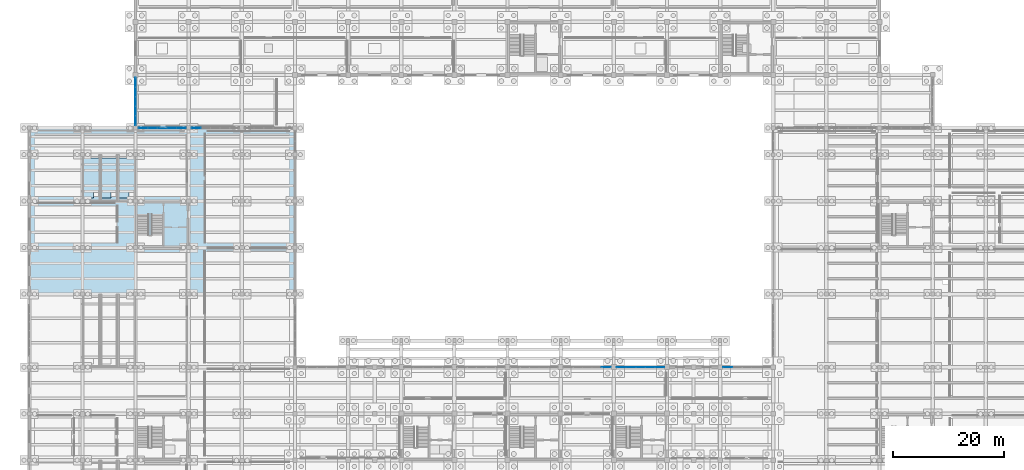
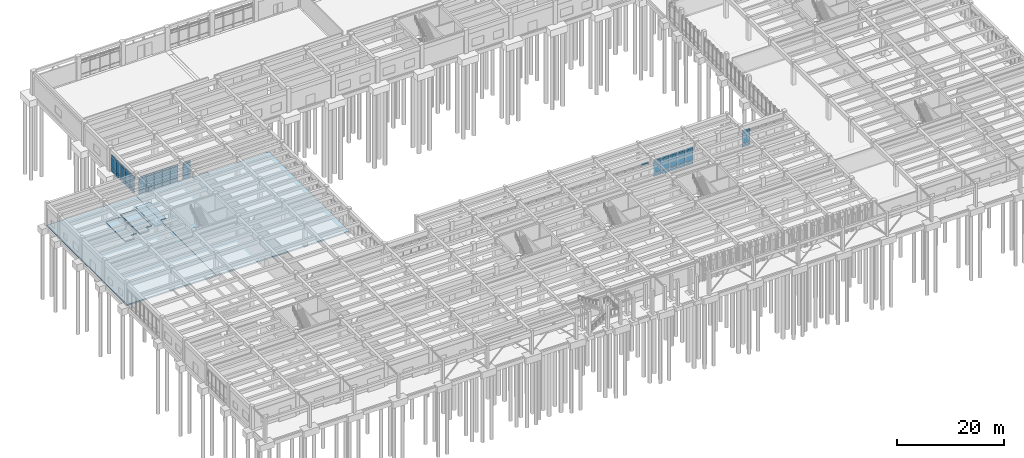
# One storey, part 59 of 102: 52 plates, 5 slabs, 6 elements without a shape of their own.
"""IFC4 building model written with IfcOpenShell, lengths in metres."""

from ifc_helpers import new_model, si_unit, direction, frame, origin, origin_2d, place, context, subcontext, project, spatial, polyline, rectangle, outline, extrude, material, layer, layer_set, type_object, element, aggregate, save


model = new_model("IFC4")

# Units and contexts
model_context = context("Model", 3, precision=1e-05, world=origin(), true_north=direction((0.0, 1.0)))
body_context = subcontext(model_context, "Body", "Model", "MODEL_VIEW")
ifc_project = project(units=[si_unit("LENGTHUNIT", "METRE"), si_unit("AREAUNIT", "SQUARE_METRE"), si_unit("VOLUMEUNIT", "CUBIC_METRE"), si_unit("PLANEANGLEUNIT", "RADIAN"), si_unit("MASSUNIT", "GRAM", prefix="KILO")], contexts=[model_context])

# Site, building, storey
site_placement = place(None, origin())
site = spatial("IfcSite", under=ifc_project, at=site_placement, CompositionType="ELEMENT")
building_placement = place(site_placement, origin())
building = spatial("IfcBuilding", under=site, at=building_placement, Name="Kolvemor Railside Polytechnic", CompositionType="ELEMENT")
storey_placement = place(building_placement, origin())
storey = spatial("IfcBuildingStorey", under=building, at=storey_placement, Name="L00", CompositionType="ELEMENT", Elevation=0.0)

# Curtain wall, plate
ifc_material_1 = material(Name="Anodised marine aluminium and laminated low-E glass", Category="aluminium")
ifc_layer_1 = layer(ifc_material_1, 0.179931640625, Name="CW-UNIT-STD")
ifc_layer_set_1 = layer_set([ifc_layer_1], Name="Anodised marine aluminium and laminated low-E glass")
curtain_wall_type = type_object("IfcCurtainWallType", Name="CW-UNIT-STD", PredefinedType="USERDEFINED", material=ifc_layer_set_1)
curtain_wall_1_placement = place(storey_placement, origin())
curtain_wall_1 = element("IfcCurtainWall", 1, at=curtain_wall_1_placement, inside=storey, type_object=curtain_wall_type, Name="Curtain Wall L00-110", ObjectType="UNITISED CURTAIN WALL", PredefinedType="USERDEFINED")
ifc_material_2 = material(Name="Hurricane-laminated solar-control low-E glass", Category="glass")
ifc_layer_2 = layer(ifc_material_2, 0.035888671875, Name="CWP-GLZ-08")
ifc_layer_set_2 = layer_set([ifc_layer_2], Name="Hurricane-laminated solar-control low-E glass")
plate_type_1 = type_object("IfcPlateType", Name="CWP-GLZ-08", PredefinedType="CURTAIN_PANEL", material=ifc_layer_set_2)
plate_1_placement = place(storey_placement, frame((104.247802734375, 38.39990234375, 3.5224609375), z_axis=(0.0, 0.0, 1.0), x_axis=(-1.0, 0.0, 0.0)))
plate_1 = element("IfcPlate", 2, at=plate_1_placement, type_object=plate_type_1, Name="CW-STD panel 1.3", PredefinedType="CURTAIN_PANEL", context=body_context, shape_type="SweptSolid", body=[
    extrude(rectangle(XDim=1.634521484375, YDim=0.035888671875, at=origin_2d()), origin(), (0.0, 0.0, 1.0), 0.452392578125),
])
aggregate(curtain_wall_1, [plate_1])

# Curtain wall, plates
curtain_wall_2_placement = place(storey_placement, origin())
curtain_wall_2 = element("IfcCurtainWall", 3, at=curtain_wall_2_placement, inside=storey, type_object=curtain_wall_type, Name="Curtain Wall L00-111", ObjectType="UNITISED CURTAIN WALL", PredefinedType="USERDEFINED")
ifc_material_3 = material(Name="Hurricane-laminated solar-control low-E glass", Category="glass")
ifc_layer_3 = layer(ifc_material_3, 0.0380859375, Name="CWP-GLZ-09")
ifc_layer_set_3 = layer_set([ifc_layer_3], Name="Hurricane-laminated solar-control low-E glass")
plate_type_2 = type_object("IfcPlateType", Name="CWP-GLZ-09", PredefinedType="CURTAIN_PANEL", material=ifc_layer_set_3)
plate_2_placement = place(storey_placement, frame((113.84765625, 38.39990234375, 0.06494140625), z_axis=(0.0, 0.0, 1.0), x_axis=(-1.0, 0.0, 0.0)))
plate_2 = element("IfcPlate", 4, at=plate_2_placement, type_object=plate_type_2, Name="CW-STD panel 1.1", PredefinedType="CURTAIN_PANEL", context=body_context, shape_type="SweptSolid", body=[
    extrude(rectangle(XDim=1.634521484375, YDim=0.0380859375, at=origin_2d()), origin(), (0.0, 0.0, 1.0), 0.802490234375),
])
plate_3_placement = place(storey_placement, frame((113.84765625, 38.39990234375, 0.9326171875), z_axis=(0.0, 0.0, 1.0), x_axis=(-1.0, 0.0, 0.0)))
plate_3 = element("IfcPlate", 5, at=plate_3_placement, type_object=plate_type_2, Name="CW-STD panel 1.2", PredefinedType="CURTAIN_PANEL", context=body_context, shape_type="SweptSolid", body=[
    extrude(rectangle(XDim=1.634521484375, YDim=0.0380859375, at=origin_2d()), origin(), (0.0, 0.0, 1.0), 2.52490234375),
])
plate_4_placement = place(storey_placement, frame((113.84765625, 38.39990234375, 3.5224609375), z_axis=(0.0, 0.0, 1.0), x_axis=(-1.0, 0.0, 0.0)))
plate_4 = element("IfcPlate", 6, at=plate_4_placement, type_object=plate_type_2, Name="CW-STD panel 1.3", PredefinedType="CURTAIN_PANEL", context=body_context, shape_type="SweptSolid", body=[
    extrude(rectangle(XDim=1.634521484375, YDim=0.0380859375, at=origin_2d()), origin(), (0.0, 0.0, 1.0), 0.452392578125),
])
plate_5_placement = place(storey_placement, frame((112.132080078125, 38.39990234375, 0.06494140625), z_axis=(0.0, 0.0, 1.0), x_axis=(-1.0, 0.0, 0.0)))
plate_5 = element("IfcPlate", 7, at=plate_5_placement, type_object=plate_type_2, Name="CW-STD panel 2.1", PredefinedType="CURTAIN_PANEL", context=body_context, shape_type="SweptSolid", body=[
    extrude(rectangle(XDim=1.6669921875, YDim=0.0380859375, at=origin_2d()), origin(), (0.0, 0.0, 1.0), 0.802490234375),
])
plate_6_placement = place(storey_placement, frame((112.132080078125, 38.39990234375, 0.9326171875), z_axis=(0.0, 0.0, 1.0), x_axis=(-1.0, 0.0, 0.0)))
plate_6 = element("IfcPlate", 8, at=plate_6_placement, type_object=plate_type_2, Name="CW-STD panel 2.2", PredefinedType="CURTAIN_PANEL", context=body_context, shape_type="SweptSolid", body=[
    extrude(rectangle(XDim=1.6669921875, YDim=0.0380859375, at=origin_2d()), origin(), (0.0, 0.0, 1.0), 2.52490234375),
])
plate_7_placement = place(storey_placement, frame((112.132080078125, 38.39990234375, 3.5224609375), z_axis=(0.0, 0.0, 1.0), x_axis=(-1.0, 0.0, 0.0)))
plate_7 = element("IfcPlate", 9, at=plate_7_placement, type_object=plate_type_2, Name="CW-STD panel 2.3", PredefinedType="CURTAIN_PANEL", context=body_context, shape_type="SweptSolid", body=[
    extrude(rectangle(XDim=1.6669921875, YDim=0.0380859375, at=origin_2d()), origin(), (0.0, 0.0, 1.0), 0.452392578125),
])
plate_8_placement = place(storey_placement, frame((110.39990234375, 38.39990234375, 0.06494140625), z_axis=(0.0, 0.0, 1.0), x_axis=(-1.0, 0.0, 0.0)))
plate_8 = element("IfcPlate", 10, at=plate_8_placement, type_object=plate_type_2, Name="CW-STD panel 3.1", PredefinedType="CURTAIN_PANEL", context=body_context, shape_type="SweptSolid", body=[
    extrude(rectangle(XDim=1.6669921875, YDim=0.0380859375, at=origin_2d()), origin(), (0.0, 0.0, 1.0), 0.802490234375),
])
plate_9_placement = place(storey_placement, frame((110.39990234375, 38.39990234375, 0.9326171875), z_axis=(0.0, 0.0, 1.0), x_axis=(-1.0, 0.0, 0.0)))
plate_9 = element("IfcPlate", 11, at=plate_9_placement, type_object=plate_type_2, Name="CW-STD panel 3.2", PredefinedType="CURTAIN_PANEL", context=body_context, shape_type="SweptSolid", body=[
    extrude(rectangle(XDim=1.6669921875, YDim=0.0380859375, at=origin_2d()), origin(), (0.0, 0.0, 1.0), 2.52490234375),
])
plate_10_placement = place(storey_placement, frame((110.39990234375, 38.39990234375, 3.5224609375), z_axis=(0.0, 0.0, 1.0), x_axis=(-1.0, 0.0, 0.0)))
plate_10 = element("IfcPlate", 12, at=plate_10_placement, type_object=plate_type_2, Name="CW-STD panel 3.3", PredefinedType="CURTAIN_PANEL", context=body_context, shape_type="SweptSolid", body=[
    extrude(rectangle(XDim=1.6669921875, YDim=0.0380859375, at=origin_2d()), origin(), (0.0, 0.0, 1.0), 0.452392578125),
])
plate_11_placement = place(storey_placement, frame((108.66796875, 38.39990234375, 0.06494140625), z_axis=(0.0, 0.0, 1.0), x_axis=(-1.0, 0.0, 0.0)))
plate_11 = element("IfcPlate", 13, at=plate_11_placement, type_object=plate_type_2, Name="CW-STD panel 4.1", PredefinedType="CURTAIN_PANEL", context=body_context, shape_type="SweptSolid", body=[
    extrude(rectangle(XDim=1.6669921875, YDim=0.0380859375, at=origin_2d()), origin(), (0.0, 0.0, 1.0), 0.802490234375),
])
plate_12_placement = place(storey_placement, frame((108.66796875, 38.39990234375, 0.9326171875), z_axis=(0.0, 0.0, 1.0), x_axis=(-1.0, 0.0, 0.0)))
plate_12 = element("IfcPlate", 14, at=plate_12_placement, type_object=plate_type_2, Name="CW-STD panel 4.2", PredefinedType="CURTAIN_PANEL", context=body_context, shape_type="SweptSolid", body=[
    extrude(rectangle(XDim=1.6669921875, YDim=0.0380859375, at=origin_2d()), origin(), (0.0, 0.0, 1.0), 2.52490234375),
])
plate_13_placement = place(storey_placement, frame((108.66796875, 38.39990234375, 3.5224609375), z_axis=(0.0, 0.0, 1.0), x_axis=(-1.0, 0.0, 0.0)))
plate_13 = element("IfcPlate", 15, at=plate_13_placement, type_object=plate_type_2, Name="CW-STD panel 4.3", PredefinedType="CURTAIN_PANEL", context=body_context, shape_type="SweptSolid", body=[
    extrude(rectangle(XDim=1.6669921875, YDim=0.0380859375, at=origin_2d()), origin(), (0.0, 0.0, 1.0), 0.452392578125),
])
plate_14_placement = place(storey_placement, frame((106.9521484375, 38.39990234375, 0.06494140625), z_axis=(0.0, 0.0, 1.0), x_axis=(-1.0, 0.0, 0.0)))
plate_14 = element("IfcPlate", 16, at=plate_14_placement, type_object=plate_type_2, Name="CW-STD panel 5.1", PredefinedType="CURTAIN_PANEL", context=body_context, shape_type="SweptSolid", body=[
    extrude(rectangle(XDim=1.634521484375, YDim=0.0380859375, at=origin_2d()), origin(), (0.0, 0.0, 1.0), 0.802490234375),
])
plate_15_placement = place(storey_placement, frame((106.9521484375, 38.39990234375, 0.9326171875), z_axis=(0.0, 0.0, 1.0), x_axis=(-1.0, 0.0, 0.0)))
plate_15 = element("IfcPlate", 17, at=plate_15_placement, type_object=plate_type_2, Name="CW-STD panel 5.2", PredefinedType="CURTAIN_PANEL", context=body_context, shape_type="SweptSolid", body=[
    extrude(rectangle(XDim=1.634521484375, YDim=0.0380859375, at=origin_2d()), origin(), (0.0, 0.0, 1.0), 2.52490234375),
])
plate_16_placement = place(storey_placement, frame((106.9521484375, 38.39990234375, 3.5224609375), z_axis=(0.0, 0.0, 1.0), x_axis=(-1.0, 0.0, 0.0)))
plate_16 = element("IfcPlate", 18, at=plate_16_placement, type_object=plate_type_2, Name="CW-STD panel 5.3", PredefinedType="CURTAIN_PANEL", context=body_context, shape_type="SweptSolid", body=[
    extrude(rectangle(XDim=1.634521484375, YDim=0.0380859375, at=origin_2d()), origin(), (0.0, 0.0, 1.0), 0.452392578125),
])
aggregate(curtain_wall_2, [plate_2, plate_3, plate_4, plate_5, plate_6, plate_7, plate_8, plate_9, plate_10, plate_11, plate_12, plate_13, plate_14, plate_15, plate_16])

curtain_wall_3_placement = place(storey_placement, origin())
curtain_wall_3 = element("IfcCurtainWall", 19, at=curtain_wall_3_placement, inside=storey, type_object=curtain_wall_type, Name="Curtain Wall L00-028", ObjectType="UNITISED CURTAIN WALL", PredefinedType="USERDEFINED")
ifc_material_4 = material(Name="Hurricane-laminated solar-control low-E glass", Category="glass")
ifc_layer_4 = layer(ifc_material_4, 0.0439453125, Name="CWP-GLZ-12")
ifc_layer_set_4 = layer_set([ifc_layer_4], Name="Hurricane-laminated solar-control low-E glass")
plate_type_3 = type_object("IfcPlateType", Name="CWP-GLZ-12", PredefinedType="CURTAIN_PANEL", material=ifc_layer_set_4)
plate_17_placement = place(storey_placement, frame((27.44775390625, 81.60009765625, 0.06494140625), z_axis=(0.0, 0.0, 1.0), x_axis=(-1.0, 0.0, 0.0)))
plate_17 = element("IfcPlate", 20, at=plate_17_placement, type_object=plate_type_3, Name="CW-STD panel 1.1", PredefinedType="CURTAIN_PANEL", context=body_context, shape_type="SweptSolid", body=[
    extrude(rectangle(XDim=1.634521484375, YDim=0.0439453125, at=origin_2d()), origin(), (0.0, 0.0, 1.0), 0.802490234375),
])
plate_18_placement = place(storey_placement, frame((27.44775390625, 81.60009765625, 0.9326171875), z_axis=(0.0, 0.0, 1.0), x_axis=(-1.0, 0.0, 0.0)))
plate_18 = element("IfcPlate", 21, at=plate_18_placement, type_object=plate_type_3, Name="CW-STD panel 1.2", PredefinedType="CURTAIN_PANEL", context=body_context, shape_type="SweptSolid", body=[
    extrude(rectangle(XDim=1.634521484375, YDim=0.0439453125, at=origin_2d()), origin(), (0.0, 0.0, 1.0), 2.52490234375),
])
plate_19_placement = place(storey_placement, frame((27.44775390625, 81.60009765625, 3.5224609375), z_axis=(0.0, 0.0, 1.0), x_axis=(-1.0, 0.0, 0.0)))
plate_19 = element("IfcPlate", 22, at=plate_19_placement, type_object=plate_type_3, Name="CW-STD panel 1.3", PredefinedType="CURTAIN_PANEL", context=body_context, shape_type="SweptSolid", body=[
    extrude(rectangle(XDim=1.634521484375, YDim=0.0439453125, at=origin_2d()), origin(), (0.0, 0.0, 1.0), 0.452392578125),
])
plate_20_placement = place(storey_placement, frame((25.73193359375, 81.60009765625, 0.06494140625), z_axis=(0.0, 0.0, 1.0), x_axis=(-1.0, 0.0, 0.0)))
plate_20 = element("IfcPlate", 23, at=plate_20_placement, type_object=plate_type_3, Name="CW-STD panel 2.1", PredefinedType="CURTAIN_PANEL", context=body_context, shape_type="SweptSolid", body=[
    extrude(rectangle(XDim=1.6669921875, YDim=0.0439453125, at=origin_2d()), origin(), (0.0, 0.0, 1.0), 0.802490234375),
])
plate_21_placement = place(storey_placement, frame((25.73193359375, 81.60009765625, 0.9326171875), z_axis=(0.0, 0.0, 1.0), x_axis=(-1.0, 0.0, 0.0)))
plate_21 = element("IfcPlate", 24, at=plate_21_placement, type_object=plate_type_3, Name="CW-STD panel 2.2", PredefinedType="CURTAIN_PANEL", context=body_context, shape_type="SweptSolid", body=[
    extrude(rectangle(XDim=1.6669921875, YDim=0.0439453125, at=origin_2d()), origin(), (0.0, 0.0, 1.0), 2.52490234375),
])
plate_22_placement = place(storey_placement, frame((25.73193359375, 81.60009765625, 3.5224609375), z_axis=(0.0, 0.0, 1.0), x_axis=(-1.0, 0.0, 0.0)))
plate_22 = element("IfcPlate", 25, at=plate_22_placement, type_object=plate_type_3, Name="CW-STD panel 2.3", PredefinedType="CURTAIN_PANEL", context=body_context, shape_type="SweptSolid", body=[
    extrude(rectangle(XDim=1.6669921875, YDim=0.0439453125, at=origin_2d()), origin(), (0.0, 0.0, 1.0), 0.452392578125),
])
plate_23_placement = place(storey_placement, frame((24.0, 81.60009765625, 0.06494140625), z_axis=(0.0, 0.0, 1.0), x_axis=(-1.0, 0.0, 0.0)))
plate_23 = element("IfcPlate", 26, at=plate_23_placement, type_object=plate_type_3, Name="CW-STD panel 3.1", PredefinedType="CURTAIN_PANEL", context=body_context, shape_type="SweptSolid", body=[
    extrude(rectangle(XDim=1.6669921875, YDim=0.0439453125, at=origin_2d()), origin(), (0.0, 0.0, 1.0), 0.802490234375),
])
plate_24_placement = place(storey_placement, frame((24.0, 81.60009765625, 0.9326171875), z_axis=(0.0, 0.0, 1.0), x_axis=(-1.0, 0.0, 0.0)))
plate_24 = element("IfcPlate", 27, at=plate_24_placement, type_object=plate_type_3, Name="CW-STD panel 3.2", PredefinedType="CURTAIN_PANEL", context=body_context, shape_type="SweptSolid", body=[
    extrude(rectangle(XDim=1.6669921875, YDim=0.0439453125, at=origin_2d()), origin(), (0.0, 0.0, 1.0), 2.52490234375),
])
plate_25_placement = place(storey_placement, frame((24.0, 81.60009765625, 3.5224609375), z_axis=(0.0, 0.0, 1.0), x_axis=(-1.0, 0.0, 0.0)))
plate_25 = element("IfcPlate", 28, at=plate_25_placement, type_object=plate_type_3, Name="CW-STD panel 3.3", PredefinedType="CURTAIN_PANEL", context=body_context, shape_type="SweptSolid", body=[
    extrude(rectangle(XDim=1.6669921875, YDim=0.0439453125, at=origin_2d()), origin(), (0.0, 0.0, 1.0), 0.452392578125),
])
plate_26_placement = place(storey_placement, frame((22.26806640625, 81.60009765625, 0.06494140625), z_axis=(0.0, 0.0, 1.0), x_axis=(-1.0, 0.0, 0.0)))
plate_26 = element("IfcPlate", 29, at=plate_26_placement, type_object=plate_type_3, Name="CW-STD panel 4.1", PredefinedType="CURTAIN_PANEL", context=body_context, shape_type="SweptSolid", body=[
    extrude(rectangle(XDim=1.6669921875, YDim=0.0439453125, at=origin_2d()), origin(), (0.0, 0.0, 1.0), 0.802490234375),
])
plate_27_placement = place(storey_placement, frame((22.26806640625, 81.60009765625, 0.9326171875), z_axis=(0.0, 0.0, 1.0), x_axis=(-1.0, 0.0, 0.0)))
plate_27 = element("IfcPlate", 30, at=plate_27_placement, type_object=plate_type_3, Name="CW-STD panel 4.2", PredefinedType="CURTAIN_PANEL", context=body_context, shape_type="SweptSolid", body=[
    extrude(rectangle(XDim=1.6669921875, YDim=0.0439453125, at=origin_2d()), origin(), (0.0, 0.0, 1.0), 2.52490234375),
])
plate_28_placement = place(storey_placement, frame((22.26806640625, 81.60009765625, 3.5224609375), z_axis=(0.0, 0.0, 1.0), x_axis=(-1.0, 0.0, 0.0)))
plate_28 = element("IfcPlate", 31, at=plate_28_placement, type_object=plate_type_3, Name="CW-STD panel 4.3", PredefinedType="CURTAIN_PANEL", context=body_context, shape_type="SweptSolid", body=[
    extrude(rectangle(XDim=1.6669921875, YDim=0.0439453125, at=origin_2d()), origin(), (0.0, 0.0, 1.0), 0.452392578125),
])
plate_29_placement = place(storey_placement, frame((20.55224609375, 81.60009765625, 0.06494140625), z_axis=(0.0, 0.0, 1.0), x_axis=(-1.0, 0.0, 0.0)))
plate_29 = element("IfcPlate", 32, at=plate_29_placement, type_object=plate_type_3, Name="CW-STD panel 5.1", PredefinedType="CURTAIN_PANEL", context=body_context, shape_type="SweptSolid", body=[
    extrude(rectangle(XDim=1.634521484375, YDim=0.0439453125, at=origin_2d()), origin(), (0.0, 0.0, 1.0), 0.802490234375),
])
plate_30_placement = place(storey_placement, frame((20.55224609375, 81.60009765625, 0.9326171875), z_axis=(0.0, 0.0, 1.0), x_axis=(-1.0, 0.0, 0.0)))
plate_30 = element("IfcPlate", 33, at=plate_30_placement, type_object=plate_type_3, Name="CW-STD panel 5.2", PredefinedType="CURTAIN_PANEL", context=body_context, shape_type="SweptSolid", body=[
    extrude(rectangle(XDim=1.634521484375, YDim=0.0439453125, at=origin_2d()), origin(), (0.0, 0.0, 1.0), 2.52490234375),
])
plate_31_placement = place(storey_placement, frame((20.55224609375, 81.60009765625, 3.5224609375), z_axis=(0.0, 0.0, 1.0), x_axis=(-1.0, 0.0, 0.0)))
plate_31 = element("IfcPlate", 34, at=plate_31_placement, type_object=plate_type_3, Name="CW-STD panel 5.3", PredefinedType="CURTAIN_PANEL", context=body_context, shape_type="SweptSolid", body=[
    extrude(rectangle(XDim=1.634521484375, YDim=0.0439453125, at=origin_2d()), origin(), (0.0, 0.0, 1.0), 0.452392578125),
])
aggregate(curtain_wall_3, [plate_17, plate_18, plate_19, plate_20, plate_21, plate_22, plate_23, plate_24, plate_25, plate_26, plate_27, plate_28, plate_29, plate_30, plate_31])

curtain_wall_4_placement = place(storey_placement, origin())
curtain_wall_4 = element("IfcCurtainWall", 35, at=curtain_wall_4_placement, inside=storey, type_object=curtain_wall_type, Name="Curtain Wall L00-112", ObjectType="UNITISED CURTAIN WALL", PredefinedType="USERDEFINED")
plate_32_placement = place(storey_placement, frame((126.15234375, 38.39990234375, 0.06494140625), z_axis=(0.0, 0.0, 1.0), x_axis=(-1.0, 0.0, 0.0)))
plate_32 = element("IfcPlate", 36, at=plate_32_placement, type_object=plate_type_3, Name="CW-STD panel 5.1", PredefinedType="CURTAIN_PANEL", context=body_context, shape_type="SweptSolid", body=[
    extrude(rectangle(XDim=1.634521484375, YDim=0.0439453125, at=origin_2d()), origin(), (0.0, 0.0, 1.0), 0.802490234375),
])
plate_33_placement = place(storey_placement, frame((126.15234375, 38.39990234375, 0.9326171875), z_axis=(0.0, 0.0, 1.0), x_axis=(-1.0, 0.0, 0.0)))
plate_33 = element("IfcPlate", 37, at=plate_33_placement, type_object=plate_type_3, Name="CW-STD panel 5.2", PredefinedType="CURTAIN_PANEL", context=body_context, shape_type="SweptSolid", body=[
    extrude(rectangle(XDim=1.634521484375, YDim=0.0439453125, at=origin_2d()), origin(), (0.0, 0.0, 1.0), 2.52490234375),
])
plate_34_placement = place(storey_placement, frame((126.15234375, 38.39990234375, 3.5224609375), z_axis=(0.0, 0.0, 1.0), x_axis=(-1.0, 0.0, 0.0)))
plate_34 = element("IfcPlate", 38, at=plate_34_placement, type_object=plate_type_3, Name="CW-STD panel 5.3", PredefinedType="CURTAIN_PANEL", context=body_context, shape_type="SweptSolid", body=[
    extrude(rectangle(XDim=1.634521484375, YDim=0.0439453125, at=origin_2d()), origin(), (0.0, 0.0, 1.0), 0.452392578125),
])
aggregate(curtain_wall_4, [plate_32, plate_33, plate_34])

curtain_wall_5_placement = place(storey_placement, origin())
curtain_wall_5 = element("IfcCurtainWall", 39, at=curtain_wall_5_placement, inside=storey, type_object=curtain_wall_type, Name="Curtain Wall L00-029", ObjectType="UNITISED CURTAIN WALL", PredefinedType="USERDEFINED")
ifc_material_5 = material(Name="Hurricane-laminated solar-control low-E glass", Category="glass")
ifc_layer_5 = layer(ifc_material_5, 0.0458984375, Name="CWP-GLZ-13")
ifc_layer_set_5 = layer_set([ifc_layer_5], Name="Hurricane-laminated solar-control low-E glass")
plate_type_4 = type_object("IfcPlateType", Name="CWP-GLZ-13", PredefinedType="CURTAIN_PANEL", material=ifc_layer_set_5)
plate_35_placement = place(storey_placement, frame((30.15234375, 81.60009765625, 0.06494140625), z_axis=(0.0, 0.0, 1.0), x_axis=(-1.0, 0.0, 0.0)))
plate_35 = element("IfcPlate", 40, at=plate_35_placement, type_object=plate_type_4, Name="CW-STD panel 5.1", PredefinedType="CURTAIN_PANEL", context=body_context, shape_type="SweptSolid", body=[
    extrude(rectangle(XDim=1.634521484375, YDim=0.0458984375, at=origin_2d()), origin(), (0.0, 0.0, 1.0), 0.802490234375),
])
plate_36_placement = place(storey_placement, frame((30.15234375, 81.60009765625, 0.9326171875), z_axis=(0.0, 0.0, 1.0), x_axis=(-1.0, 0.0, 0.0)))
plate_36 = element("IfcPlate", 41, at=plate_36_placement, type_object=plate_type_4, Name="CW-STD panel 5.2", PredefinedType="CURTAIN_PANEL", context=body_context, shape_type="SweptSolid", body=[
    extrude(rectangle(XDim=1.634521484375, YDim=0.0458984375, at=origin_2d()), origin(), (0.0, 0.0, 1.0), 2.52490234375),
])
plate_37_placement = place(storey_placement, frame((30.15234375, 81.60009765625, 3.5224609375), z_axis=(0.0, 0.0, 1.0), x_axis=(-1.0, 0.0, 0.0)))
plate_37 = element("IfcPlate", 42, at=plate_37_placement, type_object=plate_type_4, Name="CW-STD panel 5.3", PredefinedType="CURTAIN_PANEL", context=body_context, shape_type="SweptSolid", body=[
    extrude(rectangle(XDim=1.634521484375, YDim=0.0458984375, at=origin_2d()), origin(), (0.0, 0.0, 1.0), 0.452392578125),
])
aggregate(curtain_wall_5, [plate_35, plate_36, plate_37])

curtain_wall_6_placement = place(storey_placement, origin())
curtain_wall_6 = element("IfcCurtainWall", 43, at=curtain_wall_6_placement, inside=storey, type_object=curtain_wall_type, Name="Curtain Wall L00-034", ObjectType="UNITISED CURTAIN WALL", PredefinedType="USERDEFINED")
ifc_material_6 = material(Name="Hurricane-laminated solar-control low-E glass", Category="glass")
ifc_layer_6 = layer(ifc_material_6, 0.06201171875, Name="CWP-GLZ-21")
ifc_layer_set_6 = layer_set([ifc_layer_6], Name="Hurricane-laminated solar-control low-E glass")
plate_type_5 = type_object("IfcPlateType", Name="CWP-GLZ-21", PredefinedType="CURTAIN_PANEL", material=ifc_layer_set_6)
plate_38_placement = place(storey_placement, frame((19.199951171875, 89.84765625, 0.06494140625), z_axis=(0.0, 0.0, 1.0), x_axis=(0.0, -1.0, 0.0)))
plate_38 = element("IfcPlate", 44, at=plate_38_placement, type_object=plate_type_5, Name="CW-STD panel 1.1", PredefinedType="CURTAIN_PANEL", context=body_context, shape_type="SweptSolid", body=[
    extrude(rectangle(XDim=1.634521484375, YDim=0.06201171875, at=origin_2d()), origin(), (0.0, 0.0, 1.0), 0.802490234375),
])
plate_39_placement = place(storey_placement, frame((19.199951171875, 89.84765625, 0.9326171875), z_axis=(0.0, 0.0, 1.0), x_axis=(0.0, -1.0, 0.0)))
plate_39 = element("IfcPlate", 45, at=plate_39_placement, type_object=plate_type_5, Name="CW-STD panel 1.2", PredefinedType="CURTAIN_PANEL", context=body_context, shape_type="SweptSolid", body=[
    extrude(rectangle(XDim=1.634521484375, YDim=0.06201171875, at=origin_2d()), origin(), (0.0, 0.0, 1.0), 2.52490234375),
])
plate_40_placement = place(storey_placement, frame((19.199951171875, 89.84765625, 3.5224609375), z_axis=(0.0, 0.0, 1.0), x_axis=(0.0, -1.0, 0.0)))
plate_40 = element("IfcPlate", 46, at=plate_40_placement, type_object=plate_type_5, Name="CW-STD panel 1.3", PredefinedType="CURTAIN_PANEL", context=body_context, shape_type="SweptSolid", body=[
    extrude(rectangle(XDim=1.634521484375, YDim=0.06201171875, at=origin_2d()), origin(), (0.0, 0.0, 1.0), 0.452392578125),
])
plate_41_placement = place(storey_placement, frame((19.199951171875, 88.132080078125, 0.06494140625), z_axis=(0.0, 0.0, 1.0), x_axis=(0.0, -1.0, 0.0)))
plate_41 = element("IfcPlate", 47, at=plate_41_placement, type_object=plate_type_5, Name="CW-STD panel 2.1", PredefinedType="CURTAIN_PANEL", context=body_context, shape_type="SweptSolid", body=[
    extrude(rectangle(XDim=1.6669921875, YDim=0.06201171875, at=origin_2d()), origin(), (0.0, 0.0, 1.0), 0.802490234375),
])
plate_42_placement = place(storey_placement, frame((19.199951171875, 88.132080078125, 0.9326171875), z_axis=(0.0, 0.0, 1.0), x_axis=(0.0, -1.0, 0.0)))
plate_42 = element("IfcPlate", 48, at=plate_42_placement, type_object=plate_type_5, Name="CW-STD panel 2.2", PredefinedType="CURTAIN_PANEL", context=body_context, shape_type="SweptSolid", body=[
    extrude(rectangle(XDim=1.6669921875, YDim=0.06201171875, at=origin_2d()), origin(), (0.0, 0.0, 1.0), 2.52490234375),
])
plate_43_placement = place(storey_placement, frame((19.199951171875, 88.132080078125, 3.5224609375), z_axis=(0.0, 0.0, 1.0), x_axis=(0.0, -1.0, 0.0)))
plate_43 = element("IfcPlate", 49, at=plate_43_placement, type_object=plate_type_5, Name="CW-STD panel 2.3", PredefinedType="CURTAIN_PANEL", context=body_context, shape_type="SweptSolid", body=[
    extrude(rectangle(XDim=1.6669921875, YDim=0.06201171875, at=origin_2d()), origin(), (0.0, 0.0, 1.0), 0.452392578125),
])
plate_44_placement = place(storey_placement, frame((19.199951171875, 86.39990234375, 0.06494140625), z_axis=(0.0, 0.0, 1.0), x_axis=(0.0, -1.0, 0.0)))
plate_44 = element("IfcPlate", 50, at=plate_44_placement, type_object=plate_type_5, Name="CW-STD panel 3.1", PredefinedType="CURTAIN_PANEL", context=body_context, shape_type="SweptSolid", body=[
    extrude(rectangle(XDim=1.6669921875, YDim=0.06201171875, at=origin_2d()), origin(), (0.0, 0.0, 1.0), 0.802490234375),
])
plate_45_placement = place(storey_placement, frame((19.199951171875, 86.39990234375, 0.9326171875), z_axis=(0.0, 0.0, 1.0), x_axis=(0.0, -1.0, 0.0)))
plate_45 = element("IfcPlate", 51, at=plate_45_placement, type_object=plate_type_5, Name="CW-STD panel 3.2", PredefinedType="CURTAIN_PANEL", context=body_context, shape_type="SweptSolid", body=[
    extrude(rectangle(XDim=1.6669921875, YDim=0.06201171875, at=origin_2d()), origin(), (0.0, 0.0, 1.0), 2.52490234375),
])
plate_46_placement = place(storey_placement, frame((19.199951171875, 86.39990234375, 3.5224609375), z_axis=(0.0, 0.0, 1.0), x_axis=(0.0, -1.0, 0.0)))
plate_46 = element("IfcPlate", 52, at=plate_46_placement, type_object=plate_type_5, Name="CW-STD panel 3.3", PredefinedType="CURTAIN_PANEL", context=body_context, shape_type="SweptSolid", body=[
    extrude(rectangle(XDim=1.6669921875, YDim=0.06201171875, at=origin_2d()), origin(), (0.0, 0.0, 1.0), 0.452392578125),
])
plate_47_placement = place(storey_placement, frame((19.199951171875, 84.66796875, 0.06494140625), z_axis=(0.0, 0.0, 1.0), x_axis=(0.0, -1.0, 0.0)))
plate_47 = element("IfcPlate", 53, at=plate_47_placement, type_object=plate_type_5, Name="CW-STD panel 4.1", PredefinedType="CURTAIN_PANEL", context=body_context, shape_type="SweptSolid", body=[
    extrude(rectangle(XDim=1.6669921875, YDim=0.06201171875, at=origin_2d()), origin(), (0.0, 0.0, 1.0), 0.802490234375),
])
plate_48_placement = place(storey_placement, frame((19.199951171875, 84.66796875, 0.9326171875), z_axis=(0.0, 0.0, 1.0), x_axis=(0.0, -1.0, 0.0)))
plate_48 = element("IfcPlate", 54, at=plate_48_placement, type_object=plate_type_5, Name="CW-STD panel 4.2", PredefinedType="CURTAIN_PANEL", context=body_context, shape_type="SweptSolid", body=[
    extrude(rectangle(XDim=1.6669921875, YDim=0.06201171875, at=origin_2d()), origin(), (0.0, 0.0, 1.0), 2.52490234375),
])
plate_49_placement = place(storey_placement, frame((19.199951171875, 84.66796875, 3.5224609375), z_axis=(0.0, 0.0, 1.0), x_axis=(0.0, -1.0, 0.0)))
plate_49 = element("IfcPlate", 55, at=plate_49_placement, type_object=plate_type_5, Name="CW-STD panel 4.3", PredefinedType="CURTAIN_PANEL", context=body_context, shape_type="SweptSolid", body=[
    extrude(rectangle(XDim=1.6669921875, YDim=0.06201171875, at=origin_2d()), origin(), (0.0, 0.0, 1.0), 0.452392578125),
])
plate_50_placement = place(storey_placement, frame((19.199951171875, 82.9521484375, 0.06494140625), z_axis=(0.0, 0.0, 1.0), x_axis=(0.0, -1.0, 0.0)))
plate_50 = element("IfcPlate", 56, at=plate_50_placement, type_object=plate_type_5, Name="CW-STD panel 5.1", PredefinedType="CURTAIN_PANEL", context=body_context, shape_type="SweptSolid", body=[
    extrude(rectangle(XDim=1.634521484375, YDim=0.06201171875, at=origin_2d()), origin(), (0.0, 0.0, 1.0), 0.802490234375),
])
plate_51_placement = place(storey_placement, frame((19.199951171875, 82.9521484375, 0.9326171875), z_axis=(0.0, 0.0, 1.0), x_axis=(0.0, -1.0, 0.0)))
plate_51 = element("IfcPlate", 57, at=plate_51_placement, type_object=plate_type_5, Name="CW-STD panel 5.2", PredefinedType="CURTAIN_PANEL", context=body_context, shape_type="SweptSolid", body=[
    extrude(rectangle(XDim=1.634521484375, YDim=0.06201171875, at=origin_2d()), origin(), (0.0, 0.0, 1.0), 2.52490234375),
])
plate_52_placement = place(storey_placement, frame((19.199951171875, 82.9521484375, 3.5224609375), z_axis=(0.0, 0.0, 1.0), x_axis=(0.0, -1.0, 0.0)))
plate_52 = element("IfcPlate", 58, at=plate_52_placement, type_object=plate_type_5, Name="CW-STD panel 5.3", PredefinedType="CURTAIN_PANEL", context=body_context, shape_type="SweptSolid", body=[
    extrude(rectangle(XDim=1.634521484375, YDim=0.06201171875, at=origin_2d()), origin(), (0.0, 0.0, 1.0), 0.452392578125),
])
aggregate(curtain_wall_6, [plate_38, plate_39, plate_40, plate_41, plate_42, plate_43, plate_44, plate_45, plate_46, plate_47, plate_48, plate_49, plate_50, plate_51, plate_52])

# Slabs
ifc_material_7 = material(Name="Concrete C40/50", Category="concrete")
ifc_layer_7 = layer(ifc_material_7, 0.300048828125, Name="SLB-BASE-STD")
ifc_layer_set_7 = layer_set([ifc_layer_7], Name="Concrete C40/50")
slab_type_1 = type_object("IfcSlabType", Name="SLB-BASE-STD", PredefinedType="BASESLAB", material=ifc_layer_set_7)
slab_1_placement = place(storey_placement, frame((0.0, 0.0, -0.300048828125)))
element("IfcSlab", 59, at=slab_1_placement, inside=storey, type_object=slab_type_1, Name="Lecture Wing Base Slab L00-10", PredefinedType="BASESLAB", context=body_context, shape_type="SweptSolid", body=[
    extrude(outline(polyline([(0.0, 51.60009765625), (19.199951171875, 51.60009765625), (19.199951171875, 81.60009765625), (0.0, 81.60009765625), (0.0, 51.60009765625)])), origin(), (0.0, 0.0, 1.0), 0.300048828125),
])
slab_2_placement = place(storey_placement, frame((0.0, 0.0, -0.300048828125)))
element("IfcSlab", 60, at=slab_2_placement, inside=storey, type_object=slab_type_1, Name="Lecture Wing Base Slab L00-13", PredefinedType="BASESLAB", context=body_context, shape_type="SweptSolid", body=[
    extrude(outline(polyline([(19.199951171875, 51.60009765625), (48.0, 51.60009765625), (48.0, 81.52490234375), (19.199951171875, 81.52490234375), (19.199951171875, 51.60009765625)])), origin(), (0.0, 0.0, 1.0), 0.300048828125),
])
ifc_material_8 = material(Name="Concrete C40/50", Category="concrete")
ifc_layer_8 = layer(ifc_material_8, 0.199951171875, Name="SLB-TIER-RC")
ifc_layer_set_8 = layer_set([ifc_layer_8], Name="Concrete C40/50")
slab_type_2 = type_object("IfcSlabType", Name="SLB-TIER-RC", PredefinedType="FLOOR", material=ifc_layer_set_8)
slab_3_placement = place(storey_placement, frame((0.0, 0.0, 0.39990234375)))
element("IfcSlab", 61, at=slab_3_placement, inside=storey, type_object=slab_type_2, Name="Seating Tier Slab LT3-T1", PredefinedType="FLOOR", context=body_context, shape_type="SweptSolid", body=[
    extrude(outline(polyline([(9.60009765625, 69.0), (11.60009765625, 69.0), (11.60009765625, 70.199951171875), (12.800048828125, 70.199951171875), (12.800048828125, 76.199951171875), (9.60009765625, 76.199951171875), (9.60009765625, 69.0)])), origin(), (0.0, 0.0, 1.0), 0.2001953125),
])
slab_4_placement = place(storey_placement, frame((0.0, 0.0, 1.0)))
element("IfcSlab", 62, at=slab_4_placement, inside=storey, type_object=slab_type_2, Name="Seating Tier Slab LT3-T2", PredefinedType="FLOOR", context=body_context, shape_type="SweptSolid", body=[
    extrude(outline(polyline([(12.800048828125, 69.0), (14.800048828125, 69.0), (14.800048828125, 70.199951171875), (16.0, 70.199951171875), (16.0, 76.199951171875), (12.800048828125, 76.199951171875), (12.800048828125, 69.0)])), origin(), (0.0, 0.0, 1.0), 0.199951171875),
])
slab_5_placement = place(storey_placement, frame((0.0, 0.0, 1.60009765625)))
element("IfcSlab", 63, at=slab_5_placement, inside=storey, type_object=slab_type_2, Name="Seating Tier Slab LT3-T3", PredefinedType="FLOOR", context=body_context, shape_type="SweptSolid", body=[
    extrude(outline(polyline([(16.0, 69.0), (18.0, 69.0), (18.0, 70.199951171875), (19.199951171875, 70.199951171875), (19.199951171875, 76.199951171875), (16.0, 76.199951171875), (16.0, 69.0)])), origin(), (0.0, 0.0, 1.0), 0.199951171875),
])

save(model, "model.ifc")
